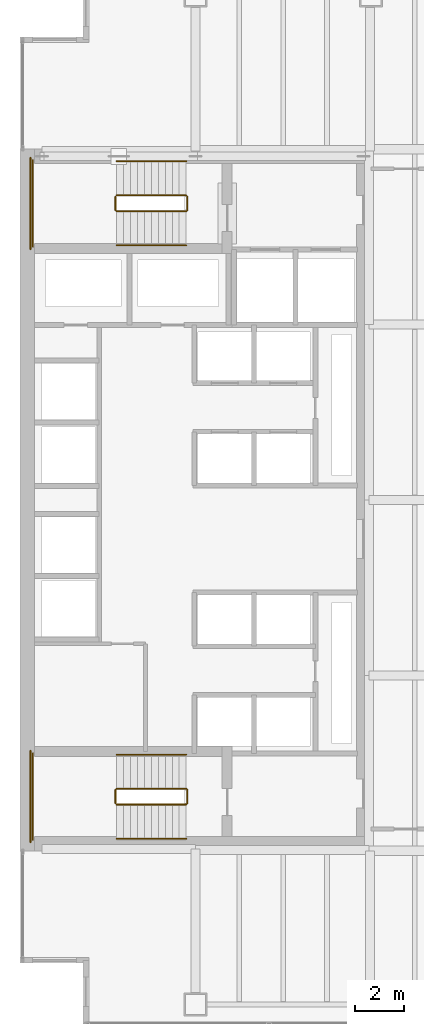
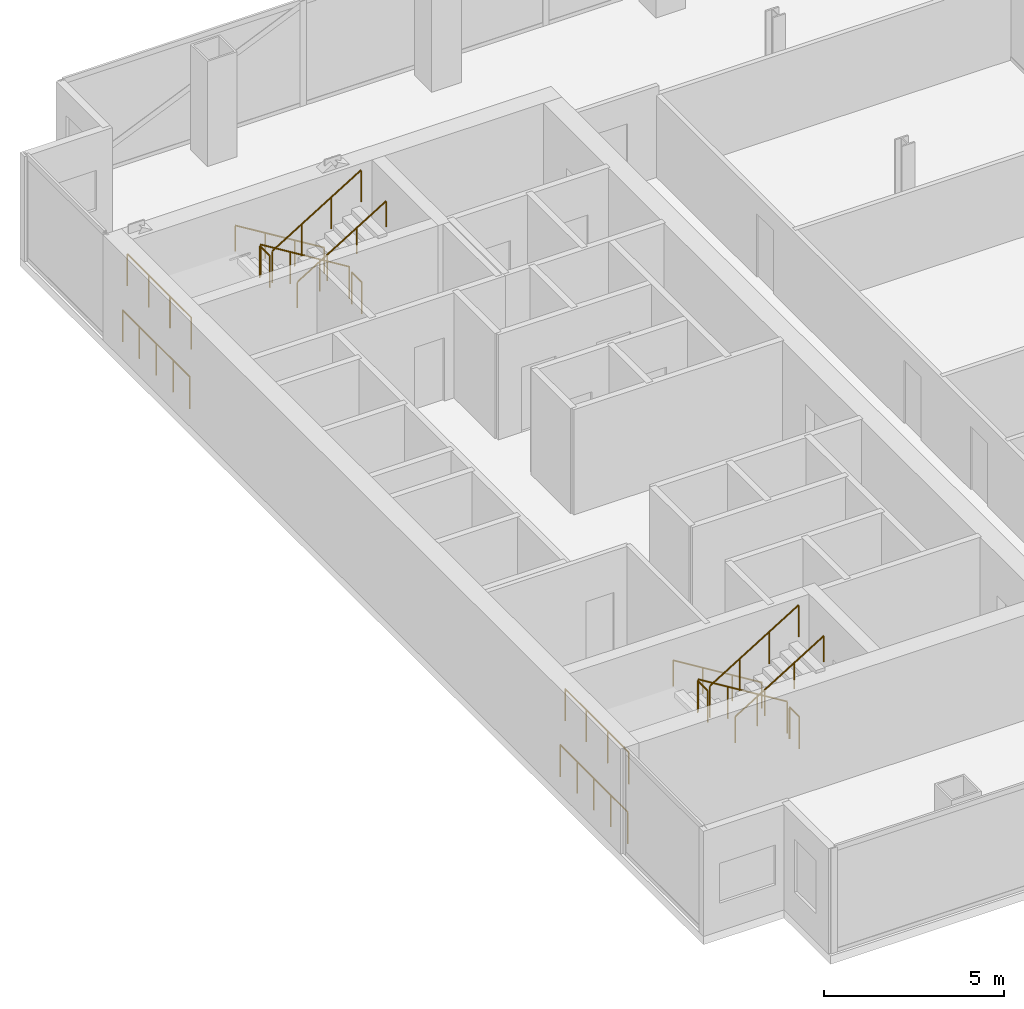
# One storey, part 23 of 23: 16 railings.
"""IFC4 building model written with IfcOpenShell, lengths in metres."""

from ifc_helpers import new_model, si_unit, direction, frame, origin, origin_2d, place, context, subcontext, project, spatial, circle, extrude, material, type_object, element, save


model = new_model("IFC4")

# Units and contexts
model_context = context("Model", 3, precision=1e-05, world=origin(), true_north=direction((0.0, 1.0)))
body_context = subcontext(model_context, "Body", "Model", "MODEL_VIEW")
ifc_project = project(units=[si_unit("LENGTHUNIT", "METRE"), si_unit("AREAUNIT", "SQUARE_METRE"), si_unit("VOLUMEUNIT", "CUBIC_METRE"), si_unit("PLANEANGLEUNIT", "RADIAN"), si_unit("MASSUNIT", "GRAM", prefix="KILO")], contexts=[model_context])

# Site, building, storey
site_placement = place(None, origin())
site = spatial("IfcSite", under=ifc_project, at=site_placement, CompositionType="ELEMENT")
building_placement = place(site_placement, origin())
building = spatial("IfcBuilding", under=site, at=building_placement, Name="Cobrela Telecom Tower", CompositionType="ELEMENT")
storey_placement = place(building_placement, frame((0.0, 0.0, 88.89990234375)))
storey = spatial("IfcBuildingStorey", under=building, at=storey_placement, Name="L22", CompositionType="ELEMENT", Elevation=88.89990234375)

# Railings
ifc_material = material(Name="Steel ASTM A36", Category="steel")
railing_type_1 = type_object("IfcRailingType", Name="RAIL-GUARD-1100", PredefinedType="GUARDRAIL", material=ifc_material)
railing_1_placement = place(storey_placement, frame((6.820068359375, 34.10009765625, 0.175048828125)))
element("IfcRailing", 1, at=railing_1_placement, inside=storey, type_object=railing_type_1, Name="L22 ST1 stair guard 1", PredefinedType="GUARDRAIL", context=body_context, shape_type="SweptSolid", body=[
    extrude(circle(Radius=0.02392578125, at=origin_2d()), frame((0.0, 0.0, 1.076171875), z_axis=(-0.852179220489, 0.0, 0.52325001306), x_axis=(0.0, -1.0, 0.0)), (0.0, 0.0, 1.0), 3.344482421875),
    extrude(circle(Radius=0.02099609375, at=origin_2d()), origin(), (0.0, 0.0, 1.0), 1.052001953125),
    extrude(circle(Radius=0.02099609375, at=origin_2d()), frame((-0.949951171875, 0.0, 0.583251953125)), (0.0, 0.0, 1.0), 1.052001953125),
    extrude(circle(Radius=0.02099609375, at=origin_2d()), frame((-1.900146484375, 0.0, 1.166748046875)), (0.0, 0.0, 1.0), 1.052001953125),
    extrude(circle(Radius=0.02099609375, at=origin_2d()), frame((-2.85009765625, 0.0, 1.75)), (0.0, 0.0, 1.0), 1.052001953125),
])
railing_2_placement = place(storey_placement, frame((3.919921875, 34.050048828125, 1.925048828125)))
element("IfcRailing", 2, at=railing_2_placement, inside=storey, type_object=railing_type_1, Name="L22 ST1 stair guard 2", PredefinedType="GUARDRAIL", context=body_context, shape_type="SweptSolid", body=[
    extrude(circle(Radius=0.02392578125, at=origin_2d()), frame((0.0, 0.0, 1.076171875), z_axis=(0.0, -1.0, 0.0), x_axis=(1.0, 0.0, 0.0)), (0.0, 0.0, 1.0), 0.550048828125),
    extrude(circle(Radius=0.02099609375, at=origin_2d()), origin(), (0.0, 0.0, 1.0), 1.052001953125),
    extrude(circle(Radius=0.02099609375, at=origin_2d()), frame((0.0, -0.550048828125, 0.0)), (0.0, 0.0, 1.0), 1.052001953125),
])
railing_3_placement = place(storey_placement, frame((0.530029296875, 35.550048828125, 1.925048828125)))
element("IfcRailing", 3, at=railing_3_placement, inside=storey, type_object=railing_type_1, Name="L22 ST1 stair guard 3", PredefinedType="GUARDRAIL", context=body_context, shape_type="SweptSolid", body=[
    extrude(circle(Radius=0.02392578125, at=origin_2d()), frame((0.0, 0.0, 1.076171875), z_axis=(0.0, -1.0, 0.0), x_axis=(1.0, 0.0, 0.0)), (0.0, 0.0, 1.0), 3.550048828125),
    extrude(circle(Radius=0.02099609375, at=origin_2d()), origin(), (0.0, 0.0, 1.0), 1.052001953125),
    extrude(circle(Radius=0.02099609375, at=origin_2d()), frame((0.0, -1.183349609375, 0.0)), (0.0, 0.0, 1.0), 1.052001953125),
    extrude(circle(Radius=0.02099609375, at=origin_2d()), frame((0.0, -2.36669921875, 0.0)), (0.0, 0.0, 1.0), 1.052001953125),
    extrude(circle(Radius=0.02099609375, at=origin_2d()), frame((0.0, -3.550048828125, 0.0)), (0.0, 0.0, 1.0), 1.052001953125),
])
railing_4_placement = place(storey_placement, frame((3.969970703125, 33.449951171875, 2.10009765625)))
element("IfcRailing", 4, at=railing_4_placement, inside=storey, type_object=railing_type_1, Name="L22 ST1 stair guard 4", PredefinedType="GUARDRAIL", context=body_context, shape_type="SweptSolid", body=[
    extrude(circle(Radius=0.02392578125, at=origin_2d()), frame((0.0, 0.0, 1.076171875), z_axis=(0.852179220489, 0.0, 0.52325001306), x_axis=(0.0, 1.0, 0.0)), (0.0, 0.0, 1.0), 3.344482421875),
    extrude(circle(Radius=0.02099609375, at=origin_2d()), origin(), (0.0, 0.0, 1.0), 1.052001953125),
    extrude(circle(Radius=0.02099609375, at=origin_2d()), frame((0.949951171875, 0.0, 0.583251953125)), (0.0, 0.0, 1.0), 1.052001953125),
    extrude(circle(Radius=0.02099609375, at=origin_2d()), frame((1.900146484375, 0.0, 1.166748046875)), (0.0, 0.0, 1.0), 1.052001953125),
    extrude(circle(Radius=0.02099609375, at=origin_2d()), frame((2.85009765625, 0.0, 1.75)), (0.0, 0.0, 1.0), 1.052001953125),
])
railing_5_placement = place(storey_placement, frame((6.8701171875, 34.050048828125, 0.0)))
element("IfcRailing", 5, at=railing_5_placement, inside=storey, type_object=railing_type_1, Name="L22 ST1 stair guard 5", PredefinedType="GUARDRAIL", context=body_context, shape_type="SweptSolid", body=[
    extrude(circle(Radius=0.02392578125, at=origin_2d()), frame((0.0, 0.0, 1.076171875), z_axis=(0.0, -1.0, 0.0), x_axis=(1.0, 0.0, 0.0)), (0.0, 0.0, 1.0), 0.550048828125),
    extrude(circle(Radius=0.02099609375, at=origin_2d()), origin(), (0.0, 0.0, 1.0), 1.052001953125),
    extrude(circle(Radius=0.02099609375, at=origin_2d()), frame((0.0, -0.550048828125, 0.0)), (0.0, 0.0, 1.0), 1.052001953125),
])
railing_6_placement = place(storey_placement, frame((0.429931640625, 35.64990234375, 0.0)))
element("IfcRailing", 6, at=railing_6_placement, inside=storey, type_object=railing_type_1, Name="L22 ST1 stair guard 6", PredefinedType="GUARDRAIL", context=body_context, shape_type="SweptSolid", body=[
    extrude(circle(Radius=0.02392578125, at=origin_2d()), frame((0.0, 0.0, 1.076171875), z_axis=(0.0, -1.0, 0.0), x_axis=(1.0, 0.0, 0.0)), (0.0, 0.0, 1.0), 3.75),
    extrude(circle(Radius=0.02099609375, at=origin_2d()), origin(), (0.0, 0.0, 1.0), 1.052001953125),
    extrude(circle(Radius=0.02099609375, at=origin_2d()), frame((0.0, -0.9375, 0.0)), (0.0, 0.0, 1.0), 1.052001953125),
    extrude(circle(Radius=0.02099609375, at=origin_2d()), frame((0.0, -1.875, 0.0)), (0.0, 0.0, 1.0), 1.052001953125),
    extrude(circle(Radius=0.02099609375, at=origin_2d()), frame((0.0, -2.8125, 0.0)), (0.0, 0.0, 1.0), 1.052001953125),
    extrude(circle(Radius=0.02099609375, at=origin_2d()), frame((0.0, -3.75, 0.0)), (0.0, 0.0, 1.0), 1.052001953125),
])
railing_7_placement = place(storey_placement, frame((6.820068359375, 9.75, 0.175048828125)))
element("IfcRailing", 7, at=railing_7_placement, inside=storey, type_object=railing_type_1, Name="L22 ST2 stair guard 1", PredefinedType="GUARDRAIL", context=body_context, shape_type="SweptSolid", body=[
    extrude(circle(Radius=0.02392578125, at=origin_2d()), frame((0.0, 0.0, 1.076171875), z_axis=(-0.852179220489, 0.0, 0.52325001306), x_axis=(0.0, -1.0, 0.0)), (0.0, 0.0, 1.0), 3.344482421875),
    extrude(circle(Radius=0.02099609375, at=origin_2d()), origin(), (0.0, 0.0, 1.0), 1.052001953125),
    extrude(circle(Radius=0.02099609375, at=origin_2d()), frame((-0.949951171875, 0.0, 0.583251953125)), (0.0, 0.0, 1.0), 1.052001953125),
    extrude(circle(Radius=0.02099609375, at=origin_2d()), frame((-1.900146484375, 0.0, 1.166748046875)), (0.0, 0.0, 1.0), 1.052001953125),
    extrude(circle(Radius=0.02099609375, at=origin_2d()), frame((-2.85009765625, 0.0, 1.75)), (0.0, 0.0, 1.0), 1.052001953125),
])
railing_8_placement = place(storey_placement, frame((3.919921875, 9.699951171875, 1.925048828125)))
element("IfcRailing", 8, at=railing_8_placement, inside=storey, type_object=railing_type_1, Name="L22 ST2 stair guard 2", PredefinedType="GUARDRAIL", context=body_context, shape_type="SweptSolid", body=[
    extrude(circle(Radius=0.02392578125, at=origin_2d()), frame((0.0, 0.0, 1.076171875), z_axis=(0.0, -1.0, 0.0), x_axis=(1.0, 0.0, 0.0)), (0.0, 0.0, 1.0), 0.550048828125),
    extrude(circle(Radius=0.02099609375, at=origin_2d()), origin(), (0.0, 0.0, 1.0), 1.052001953125),
    extrude(circle(Radius=0.02099609375, at=origin_2d()), frame((0.0, -0.550048828125, 0.0)), (0.0, 0.0, 1.0), 1.052001953125),
])
railing_9_placement = place(storey_placement, frame((0.530029296875, 11.199951171875, 1.925048828125)))
element("IfcRailing", 9, at=railing_9_placement, inside=storey, type_object=railing_type_1, Name="L22 ST2 stair guard 3", PredefinedType="GUARDRAIL", context=body_context, shape_type="SweptSolid", body=[
    extrude(circle(Radius=0.02392578125, at=origin_2d()), frame((0.0, 0.0, 1.076171875), z_axis=(0.0, -1.0, 0.0), x_axis=(1.0, 0.0, 0.0)), (0.0, 0.0, 1.0), 3.550048828125),
    extrude(circle(Radius=0.02099609375, at=origin_2d()), origin(), (0.0, 0.0, 1.0), 1.052001953125),
    extrude(circle(Radius=0.02099609375, at=origin_2d()), frame((0.0, -1.183349609375, 0.0)), (0.0, 0.0, 1.0), 1.052001953125),
    extrude(circle(Radius=0.02099609375, at=origin_2d()), frame((0.0, -2.36669921875, 0.0)), (0.0, 0.0, 1.0), 1.052001953125),
    extrude(circle(Radius=0.02099609375, at=origin_2d()), frame((0.0, -3.550048828125, 0.0)), (0.0, 0.0, 1.0), 1.052001953125),
])
railing_10_placement = place(storey_placement, frame((3.969970703125, 9.10009765625, 2.10009765625)))
element("IfcRailing", 10, at=railing_10_placement, inside=storey, type_object=railing_type_1, Name="L22 ST2 stair guard 4", PredefinedType="GUARDRAIL", context=body_context, shape_type="SweptSolid", body=[
    extrude(circle(Radius=0.02392578125, at=origin_2d()), frame((0.0, 0.0, 1.076171875), z_axis=(0.852179220489, 0.0, 0.52325001306), x_axis=(0.0, 1.0, 0.0)), (0.0, 0.0, 1.0), 3.344482421875),
    extrude(circle(Radius=0.02099609375, at=origin_2d()), origin(), (0.0, 0.0, 1.0), 1.052001953125),
    extrude(circle(Radius=0.02099609375, at=origin_2d()), frame((0.949951171875, 0.0, 0.583251953125)), (0.0, 0.0, 1.0), 1.052001953125),
    extrude(circle(Radius=0.02099609375, at=origin_2d()), frame((1.900146484375, 0.0, 1.166748046875)), (0.0, 0.0, 1.0), 1.052001953125),
    extrude(circle(Radius=0.02099609375, at=origin_2d()), frame((2.85009765625, 0.0, 1.75)), (0.0, 0.0, 1.0), 1.052001953125),
])
railing_11_placement = place(storey_placement, frame((6.8701171875, 9.699951171875, 0.0)))
element("IfcRailing", 11, at=railing_11_placement, inside=storey, type_object=railing_type_1, Name="L22 ST2 stair guard 5", PredefinedType="GUARDRAIL", context=body_context, shape_type="SweptSolid", body=[
    extrude(circle(Radius=0.02392578125, at=origin_2d()), frame((0.0, 0.0, 1.076171875), z_axis=(0.0, -1.0, 0.0), x_axis=(1.0, 0.0, 0.0)), (0.0, 0.0, 1.0), 0.550048828125),
    extrude(circle(Radius=0.02099609375, at=origin_2d()), origin(), (0.0, 0.0, 1.0), 1.052001953125),
    extrude(circle(Radius=0.02099609375, at=origin_2d()), frame((0.0, -0.550048828125, 0.0)), (0.0, 0.0, 1.0), 1.052001953125),
])
railing_12_placement = place(storey_placement, frame((0.429931640625, 11.300048828125, 0.0)))
element("IfcRailing", 12, at=railing_12_placement, inside=storey, type_object=railing_type_1, Name="L22 ST2 stair guard 6", PredefinedType="GUARDRAIL", context=body_context, shape_type="SweptSolid", body=[
    extrude(circle(Radius=0.02392578125, at=origin_2d()), frame((0.0, 0.0, 1.076171875), z_axis=(0.0, -1.0, 0.0), x_axis=(1.0, 0.0, 0.0)), (0.0, 0.0, 1.0), 3.75),
    extrude(circle(Radius=0.02099609375, at=origin_2d()), origin(), (0.0, 0.0, 1.0), 1.052001953125),
    extrude(circle(Radius=0.02099609375, at=origin_2d()), frame((0.0, -0.9375, 0.0)), (0.0, 0.0, 1.0), 1.052001953125),
    extrude(circle(Radius=0.02099609375, at=origin_2d()), frame((0.0, -1.875, 0.0)), (0.0, 0.0, 1.0), 1.052001953125),
    extrude(circle(Radius=0.02099609375, at=origin_2d()), frame((0.0, -2.8125, 0.0)), (0.0, 0.0, 1.0), 1.052001953125),
    extrude(circle(Radius=0.02099609375, at=origin_2d()), frame((0.0, -3.75, 0.0)), (0.0, 0.0, 1.0), 1.052001953125),
])
railing_type_2 = type_object("IfcRailingType", Name="RAIL-HAND-920", PredefinedType="HANDRAIL", material=ifc_material)
railing_13_placement = place(storey_placement, frame((6.820068359375, 35.5, 0.175048828125)))
element("IfcRailing", 13, at=railing_13_placement, inside=storey, type_object=railing_type_2, Name="L22 ST1 stair handrail 1", PredefinedType="HANDRAIL", context=body_context, shape_type="SweptSolid", body=[
    extrude(circle(Radius=0.02392578125, at=origin_2d()), frame((0.0, 0.0, 0.8759765625), z_axis=(-0.852179220489, 0.0, 0.52325001306), x_axis=(0.0, -1.0, 0.0)), (0.0, 0.0, 1.0), 3.344482421875),
    extrude(circle(Radius=0.02099609375, at=origin_2d()), origin(), (0.0, 0.0, 1.0), 0.851806640625),
    extrude(circle(Radius=0.02099609375, at=origin_2d()), frame((-0.949951171875, 0.0, 0.583251953125)), (0.0, 0.0, 1.0), 0.851806640625),
    extrude(circle(Radius=0.02099609375, at=origin_2d()), frame((-1.900146484375, 0.0, 1.166748046875)), (0.0, 0.0, 1.0), 0.851806640625),
    extrude(circle(Radius=0.02099609375, at=origin_2d()), frame((-2.85009765625, 0.0, 1.75)), (0.0, 0.0, 1.0), 0.851806640625),
])
railing_14_placement = place(storey_placement, frame((3.969970703125, 32.050048828125, 2.10009765625)))
element("IfcRailing", 14, at=railing_14_placement, inside=storey, type_object=railing_type_2, Name="L22 ST1 stair handrail 2", PredefinedType="HANDRAIL", context=body_context, shape_type="SweptSolid", body=[
    extrude(circle(Radius=0.02392578125, at=origin_2d()), frame((0.0, 0.0, 0.8759765625), z_axis=(0.852179220489, 0.0, 0.52325001306), x_axis=(0.0, 1.0, 0.0)), (0.0, 0.0, 1.0), 3.344482421875),
    extrude(circle(Radius=0.02099609375, at=origin_2d()), origin(), (0.0, 0.0, 1.0), 0.851806640625),
    extrude(circle(Radius=0.02099609375, at=origin_2d()), frame((0.949951171875, 0.0, 0.583251953125)), (0.0, 0.0, 1.0), 0.851806640625),
    extrude(circle(Radius=0.02099609375, at=origin_2d()), frame((1.900146484375, 0.0, 1.166748046875)), (0.0, 0.0, 1.0), 0.851806640625),
    extrude(circle(Radius=0.02099609375, at=origin_2d()), frame((2.85009765625, 0.0, 1.75)), (0.0, 0.0, 1.0), 0.851806640625),
])
railing_15_placement = place(storey_placement, frame((6.820068359375, 11.14990234375, 0.175048828125)))
element("IfcRailing", 15, at=railing_15_placement, inside=storey, type_object=railing_type_2, Name="L22 ST2 stair handrail 1", PredefinedType="HANDRAIL", context=body_context, shape_type="SweptSolid", body=[
    extrude(circle(Radius=0.02392578125, at=origin_2d()), frame((0.0, 0.0, 0.8759765625), z_axis=(-0.852179220489, 0.0, 0.52325001306), x_axis=(0.0, -1.0, 0.0)), (0.0, 0.0, 1.0), 3.344482421875),
    extrude(circle(Radius=0.02099609375, at=origin_2d()), origin(), (0.0, 0.0, 1.0), 0.851806640625),
    extrude(circle(Radius=0.02099609375, at=origin_2d()), frame((-0.949951171875, 0.0, 0.583251953125)), (0.0, 0.0, 1.0), 0.851806640625),
    extrude(circle(Radius=0.02099609375, at=origin_2d()), frame((-1.900146484375, 0.0, 1.166748046875)), (0.0, 0.0, 1.0), 0.851806640625),
    extrude(circle(Radius=0.02099609375, at=origin_2d()), frame((-2.85009765625, 0.0, 1.75)), (0.0, 0.0, 1.0), 0.851806640625),
])
railing_16_placement = place(storey_placement, frame((3.969970703125, 7.699951171875, 2.10009765625)))
element("IfcRailing", 16, at=railing_16_placement, inside=storey, type_object=railing_type_2, Name="L22 ST2 stair handrail 2", PredefinedType="HANDRAIL", context=body_context, shape_type="SweptSolid", body=[
    extrude(circle(Radius=0.02392578125, at=origin_2d()), frame((0.0, 0.0, 0.8759765625), z_axis=(0.852179220489, 0.0, 0.52325001306), x_axis=(0.0, 1.0, 0.0)), (0.0, 0.0, 1.0), 3.344482421875),
    extrude(circle(Radius=0.02099609375, at=origin_2d()), origin(), (0.0, 0.0, 1.0), 0.851806640625),
    extrude(circle(Radius=0.02099609375, at=origin_2d()), frame((0.949951171875, 0.0, 0.583251953125)), (0.0, 0.0, 1.0), 0.851806640625),
    extrude(circle(Radius=0.02099609375, at=origin_2d()), frame((1.900146484375, 0.0, 1.166748046875)), (0.0, 0.0, 1.0), 0.851806640625),
    extrude(circle(Radius=0.02099609375, at=origin_2d()), frame((2.85009765625, 0.0, 1.75)), (0.0, 0.0, 1.0), 0.851806640625),
])

save(model, "model.ifc")
